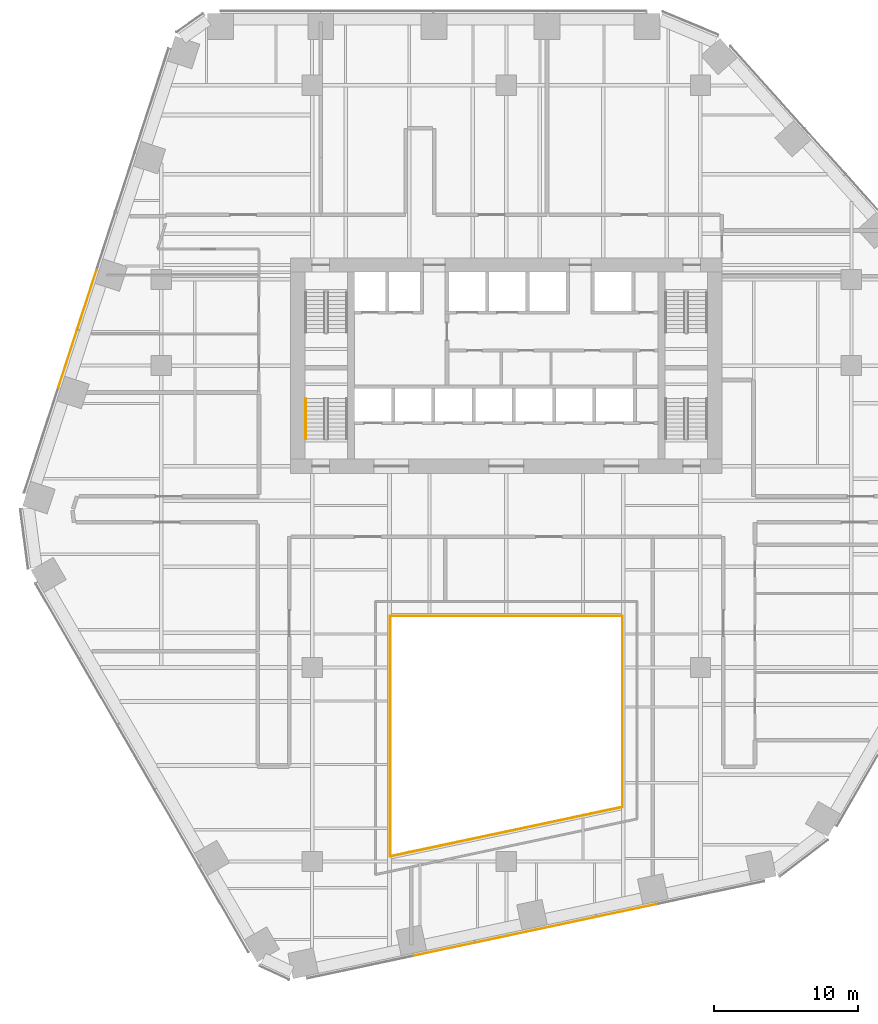
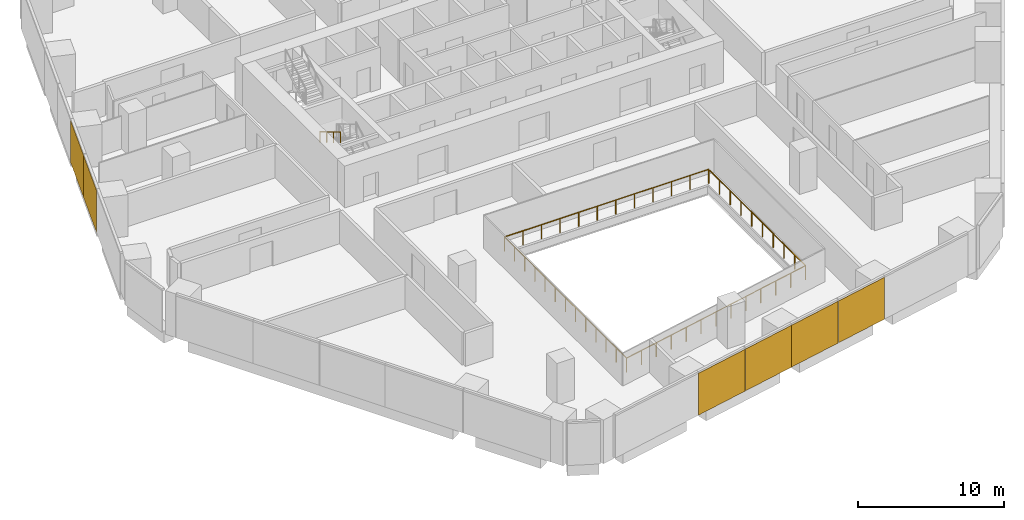
# One storey, part 18 of 20: 6 coverings, 5 railings, 2 elements without a shape of their own.
"""IFC4 building model written with IfcOpenShell, lengths in metres."""

from ifc_helpers import new_model, si_unit, direction, frame, origin, origin_2d, place, context, subcontext, project, spatial, rectangle, circle, extrude, material, layer, layer_set, type_object, element, aggregate, save


model = new_model("IFC4")

# Units and contexts
model_context = context("Model", 3, precision=1e-05, world=origin(), true_north=direction((0.0, 1.0)))
body_context = subcontext(model_context, "Body", "Model", "MODEL_VIEW")
ifc_project = project(units=[si_unit("LENGTHUNIT", "METRE"), si_unit("AREAUNIT", "SQUARE_METRE"), si_unit("VOLUMEUNIT", "CUBIC_METRE"), si_unit("PLANEANGLEUNIT", "RADIAN"), si_unit("MASSUNIT", "GRAM", prefix="KILO")], contexts=[model_context])

# Site, building, storey
site_placement = place(None, origin())
site = spatial("IfcSite", under=ifc_project, at=site_placement, CompositionType="ELEMENT")
building_placement = place(site_placement, origin())
building = spatial("IfcBuilding", under=site, at=building_placement, Name="Isthmus Gate Tower", CompositionType="ELEMENT")
storey_placement = place(building_placement, frame((0.0, 0.0, 57.89990234375)))
storey = spatial("IfcBuildingStorey", under=building, at=storey_placement, Name="L12", CompositionType="ELEMENT", Elevation=57.89990234375)

# Railings
ifc_material_1 = material(Name="Laminated toughened glass balustrade with steel rail", Category="steel")
railing_type_1 = type_object("IfcRailingType", Name="ATRIUM GUARD GLASS BALUSTRADE 1200", PredefinedType="GUARDRAIL", material=ifc_material_1)
railing_1_placement = place(storey_placement, frame((-8.080078125, -26.642822265625, 0.0)))
element("IfcRailing", 1, at=railing_1_placement, inside=storey, type_object=railing_type_1, Name="L12 atrium guard", PredefinedType="GUARDRAIL", context=body_context, shape_type="SweptSolid", body=[
    extrude(circle(Radius=0.02490234375, at=origin_2d()), frame((0.0, 0.0, 1.1748046875), z_axis=(0.0, 1.0, 0.0), x_axis=(-1.0, 0.0, 0.0)), (0.0, 0.0, 1.0), 16.722900390625),
    extrude(circle(Radius=0.02490234375, at=origin_2d()), origin(), (0.0, 0.0, 1.0), 1.14990234375),
    extrude(circle(Radius=0.02490234375, at=origin_2d()), frame((0.0, 1.3935546875, 0.0)), (0.0, 0.0, 1.0), 1.14990234375),
    extrude(circle(Radius=0.02490234375, at=origin_2d()), frame((0.0, 2.787109375, 0.0)), (0.0, 0.0, 1.0), 1.14990234375),
    extrude(circle(Radius=0.02490234375, at=origin_2d()), frame((0.0, 4.1806640625, 0.0)), (0.0, 0.0, 1.0), 1.14990234375),
    extrude(circle(Radius=0.02490234375, at=origin_2d()), frame((0.0, 5.57421875, 0.0)), (0.0, 0.0, 1.0), 1.14990234375),
    extrude(circle(Radius=0.02490234375, at=origin_2d()), frame((0.0, 6.9677734375, 0.0)), (0.0, 0.0, 1.0), 1.14990234375),
    extrude(circle(Radius=0.02490234375, at=origin_2d()), frame((0.0, 8.361328125, 0.0)), (0.0, 0.0, 1.0), 1.14990234375),
    extrude(circle(Radius=0.02490234375, at=origin_2d()), frame((0.0, 9.755126953125, 0.0)), (0.0, 0.0, 1.0), 1.14990234375),
    extrude(circle(Radius=0.02490234375, at=origin_2d()), frame((0.0, 11.148681640625, 0.0)), (0.0, 0.0, 1.0), 1.14990234375),
    extrude(circle(Radius=0.02490234375, at=origin_2d()), frame((0.0, 12.542236328125, 0.0)), (0.0, 0.0, 1.0), 1.14990234375),
    extrude(circle(Radius=0.02490234375, at=origin_2d()), frame((0.0, 13.935791015625, 0.0)), (0.0, 0.0, 1.0), 1.14990234375),
    extrude(circle(Radius=0.02490234375, at=origin_2d()), frame((0.0, 15.329345703125, 0.0)), (0.0, 0.0, 1.0), 1.14990234375),
    extrude(circle(Radius=0.02490234375, at=origin_2d()), frame((0.0, 16.722900390625, 0.0)), (0.0, 0.0, 1.0), 1.14990234375),
])
railing_2_placement = place(storey_placement, frame((-8.080078125, -9.919921875, 0.0)))
element("IfcRailing", 2, at=railing_2_placement, inside=storey, type_object=railing_type_1, Name="L12 atrium guard", PredefinedType="GUARDRAIL", context=body_context, shape_type="SweptSolid", body=[
    extrude(circle(Radius=0.02490234375, at=origin_2d()), frame((0.0, 0.0, 1.1748046875), z_axis=(1.0, 0.0, 0.0), x_axis=(0.0, 1.0, 0.0)), (0.0, 0.0, 1.0), 16.16015625),
    extrude(circle(Radius=0.02490234375, at=origin_2d()), origin(), (0.0, 0.0, 1.0), 1.14990234375),
    extrude(circle(Radius=0.02490234375, at=origin_2d()), frame((1.468994140625, 0.0, 0.0)), (0.0, 0.0, 1.0), 1.14990234375),
    extrude(circle(Radius=0.02490234375, at=origin_2d()), frame((2.938232421875, 0.0, 0.0)), (0.0, 0.0, 1.0), 1.14990234375),
    extrude(circle(Radius=0.02490234375, at=origin_2d()), frame((4.4072265625, 0.0, 0.0)), (0.0, 0.0, 1.0), 1.14990234375),
    extrude(circle(Radius=0.02490234375, at=origin_2d()), frame((5.87646484375, 0.0, 0.0)), (0.0, 0.0, 1.0), 1.14990234375),
    extrude(circle(Radius=0.02490234375, at=origin_2d()), frame((7.345458984375, 0.0, 0.0)), (0.0, 0.0, 1.0), 1.14990234375),
    extrude(circle(Radius=0.02490234375, at=origin_2d()), frame((8.814697265625, 0.0, 0.0)), (0.0, 0.0, 1.0), 1.14990234375),
    extrude(circle(Radius=0.02490234375, at=origin_2d()), frame((10.28369140625, 0.0, 0.0)), (0.0, 0.0, 1.0), 1.14990234375),
    extrude(circle(Radius=0.02490234375, at=origin_2d()), frame((11.7529296875, 0.0, 0.0)), (0.0, 0.0, 1.0), 1.14990234375),
    extrude(circle(Radius=0.02490234375, at=origin_2d()), frame((13.221923828125, 0.0, 0.0)), (0.0, 0.0, 1.0), 1.14990234375),
    extrude(circle(Radius=0.02490234375, at=origin_2d()), frame((14.691162109375, 0.0, 0.0)), (0.0, 0.0, 1.0), 1.14990234375),
    extrude(circle(Radius=0.02490234375, at=origin_2d()), frame((16.16015625, 0.0, 0.0)), (0.0, 0.0, 1.0), 1.14990234375),
])
railing_3_placement = place(storey_placement, frame((8.080078125, -9.919921875, 0.0)))
element("IfcRailing", 3, at=railing_3_placement, inside=storey, type_object=railing_type_1, Name="L12 atrium guard", PredefinedType="GUARDRAIL", context=body_context, shape_type="SweptSolid", body=[
    extrude(circle(Radius=0.02490234375, at=origin_2d()), frame((0.0, 0.0, 1.1748046875), z_axis=(0.0, -1.0, 0.0), x_axis=(1.0, 0.0, 0.0)), (0.0, 0.0, 1.0), 13.2880859375),
    extrude(circle(Radius=0.02490234375, at=origin_2d()), origin(), (0.0, 0.0, 1.0), 1.14990234375),
    extrude(circle(Radius=0.02490234375, at=origin_2d()), frame((0.0, -1.4765625, 0.0)), (0.0, 0.0, 1.0), 1.14990234375),
    extrude(circle(Radius=0.02490234375, at=origin_2d()), frame((0.0, -2.952880859375, 0.0)), (0.0, 0.0, 1.0), 1.14990234375),
    extrude(circle(Radius=0.02490234375, at=origin_2d()), frame((0.0, -4.429443359375, 0.0)), (0.0, 0.0, 1.0), 1.14990234375),
    extrude(circle(Radius=0.02490234375, at=origin_2d()), frame((0.0, -5.90576171875, 0.0)), (0.0, 0.0, 1.0), 1.14990234375),
    extrude(circle(Radius=0.02490234375, at=origin_2d()), frame((0.0, -7.38232421875, 0.0)), (0.0, 0.0, 1.0), 1.14990234375),
    extrude(circle(Radius=0.02490234375, at=origin_2d()), frame((0.0, -8.858642578125, 0.0)), (0.0, 0.0, 1.0), 1.14990234375),
    extrude(circle(Radius=0.02490234375, at=origin_2d()), frame((0.0, -10.335205078125, 0.0)), (0.0, 0.0, 1.0), 1.14990234375),
    extrude(circle(Radius=0.02490234375, at=origin_2d()), frame((0.0, -11.8115234375, 0.0)), (0.0, 0.0, 1.0), 1.14990234375),
    extrude(circle(Radius=0.02490234375, at=origin_2d()), frame((0.0, -13.2880859375, 0.0)), (0.0, 0.0, 1.0), 1.14990234375),
])
railing_4_placement = place(storey_placement, frame((8.080078125, -23.2080078125, 0.0)))
element("IfcRailing", 4, at=railing_4_placement, inside=storey, type_object=railing_type_1, Name="L12 atrium guard", PredefinedType="GUARDRAIL", context=body_context, shape_type="SweptSolid", body=[
    extrude(circle(Radius=0.02490234375, at=origin_2d()), frame((0.0, 0.0, 1.1748046875), z_axis=(-0.978149235358, -0.207904000366, 0.0), x_axis=(0.207904000366, -0.978149235358, 0.0)), (0.0, 0.0, 1.0), 16.521240234375),
    extrude(circle(Radius=0.02490234375, at=origin_2d()), origin(), (0.0, 0.0, 1.0), 1.14990234375),
    extrude(circle(Radius=0.02490234375, at=origin_2d()), frame((-1.3466796875, -0.2861328125, 0.0)), (0.0, 0.0, 1.0), 1.14990234375),
    extrude(circle(Radius=0.02490234375, at=origin_2d()), frame((-2.693359375, -0.572509765625, 0.0)), (0.0, 0.0, 1.0), 1.14990234375),
    extrude(circle(Radius=0.02490234375, at=origin_2d()), frame((-4.0400390625, -0.858642578125, 0.0)), (0.0, 0.0, 1.0), 1.14990234375),
    extrude(circle(Radius=0.02490234375, at=origin_2d()), frame((-5.38671875, -1.14501953125, 0.0)), (0.0, 0.0, 1.0), 1.14990234375),
    extrude(circle(Radius=0.02490234375, at=origin_2d()), frame((-6.7333984375, -1.43115234375, 0.0)), (0.0, 0.0, 1.0), 1.14990234375),
    extrude(circle(Radius=0.02490234375, at=origin_2d()), frame((-8.080078125, -1.71728515625, 0.0)), (0.0, 0.0, 1.0), 1.14990234375),
    extrude(circle(Radius=0.02490234375, at=origin_2d()), frame((-9.4267578125, -2.003662109375, 0.0)), (0.0, 0.0, 1.0), 1.14990234375),
    extrude(circle(Radius=0.02490234375, at=origin_2d()), frame((-10.7734375, -2.289794921875, 0.0)), (0.0, 0.0, 1.0), 1.14990234375),
    extrude(circle(Radius=0.02490234375, at=origin_2d()), frame((-12.1201171875, -2.576171875, 0.0)), (0.0, 0.0, 1.0), 1.14990234375),
    extrude(circle(Radius=0.02490234375, at=origin_2d()), frame((-13.466796875, -2.8623046875, 0.0)), (0.0, 0.0, 1.0), 1.14990234375),
    extrude(circle(Radius=0.02490234375, at=origin_2d()), frame((-14.8134765625, -3.148681640625, 0.0)), (0.0, 0.0, 1.0), 1.14990234375),
    extrude(circle(Radius=0.02490234375, at=origin_2d()), frame((-16.16015625, -3.434814453125, 0.0)), (0.0, 0.0, 1.0), 1.14990234375),
])

# Curtain wall, coverings
ifc_material_2 = material(Name="Aluminium, pale champagne anodised", Category="aluminium")
ifc_layer_1 = layer(ifc_material_2, 0.199951171875)
ifc_layer_set_1 = layer_set([ifc_layer_1], Name="CW-1 UNITISED CURTAIN WALL 200 DEEP")
curtain_wall_type = type_object("IfcCurtainWallType", Name="CW-1 UNITISED CURTAIN WALL 200 DEEP", PredefinedType="NOTDEFINED", material=ifc_layer_set_1)
curtain_wall_1_placement = place(storey_placement, origin())
curtain_wall_1 = element("IfcCurtainWall", 5, at=curtain_wall_1_placement, inside=storey, type_object=curtain_wall_type, Name="CW-1 NW L12", PredefinedType="NOTDEFINED")
ifc_material_3 = material(Name="Aluminium composite panel, pale champagne anodised", Category="aluminium")
ifc_layer_2 = layer(ifc_material_3, 0.0400390625)
ifc_layer_set_2 = layer_set([ifc_layer_2], Name="CW-1 PALE METAL PANEL 40")
covering_type = type_object("IfcCoveringType", Name="CW-1 PALE METAL PANEL 40", PredefinedType="CLADDING", material=ifc_layer_set_2)
covering_1_placement = place(storey_placement, frame((-29.17236328125, 12.09033203125, 0.0), z_axis=(0.0, 0.0, 1.0), x_axis=(-0.309016994375, -0.951056516295, 0.0)))
covering_1 = element("IfcCovering", 6, at=covering_1_placement, type_object=covering_type, Name="CW-1 pale metal panel", PredefinedType="CLADDING", context=body_context, shape_type="SweptSolid", body=[
    extrude(rectangle(XDim=4.294677734375, YDim=0.0400390625, at=origin_2d()), origin(), (0.0, 0.0, 1.0), 3.5),
])
covering_2_placement = place(storey_placement, frame((-30.5087890625, 7.9775390625, 0.0), z_axis=(0.0, 0.0, 1.0), x_axis=(-0.309016994375, -0.951056516295, 0.0)))
covering_2 = element("IfcCovering", 7, at=covering_2_placement, type_object=covering_type, Name="CW-1 pale metal panel", PredefinedType="CLADDING", context=body_context, shape_type="SweptSolid", body=[
    extrude(rectangle(XDim=4.234619140625, YDim=0.0400390625, at=origin_2d()), origin(), (0.0, 0.0, 1.0), 3.5),
])
aggregate(curtain_wall_1, [covering_1, covering_2])

curtain_wall_2_placement = place(storey_placement, origin())
curtain_wall_2 = element("IfcCurtainWall", 8, at=curtain_wall_2_placement, inside=storey, type_object=curtain_wall_type, Name="CW-1 S L12", PredefinedType="NOTDEFINED")
covering_3_placement = place(storey_placement, frame((-4.2861328125, -33.094970703125, 0.0), z_axis=(0.0, 0.0, 1.0), x_axis=(0.978147600734, 0.207911690818, 0.0)))
covering_3 = element("IfcCovering", 9, at=covering_3_placement, type_object=covering_type, Name="CW-1 pale metal panel", PredefinedType="CLADDING", context=body_context, shape_type="SweptSolid", body=[
    extrude(rectangle(XDim=4.294677734375, YDim=0.0400390625, at=origin_2d()), origin(), (0.0, 0.0, 1.0), 3.5),
])
covering_4_placement = place(storey_placement, frame((-0.055908203125, -32.19580078125, 0.0), z_axis=(0.0, 0.0, 1.0), x_axis=(0.978147600734, 0.207911690818, 0.0)))
covering_4 = element("IfcCovering", 10, at=covering_4_placement, type_object=covering_type, Name="CW-1 pale metal panel", PredefinedType="CLADDING", context=body_context, shape_type="SweptSolid", body=[
    extrude(rectangle(XDim=4.234619140625, YDim=0.0400390625, at=origin_2d()), origin(), (0.0, 0.0, 1.0), 3.5),
])
covering_5_placement = place(storey_placement, frame((4.115478515625, -31.309326171875, 0.0), z_axis=(0.0, 0.0, 1.0), x_axis=(0.978147600734, 0.207911690818, 0.0)))
covering_5 = element("IfcCovering", 11, at=covering_5_placement, type_object=covering_type, Name="CW-1 pale metal panel", PredefinedType="CLADDING", context=body_context, shape_type="SweptSolid", body=[
    extrude(rectangle(XDim=4.294677734375, YDim=0.0400390625, at=origin_2d()), origin(), (0.0, 0.0, 1.0), 3.5),
])
covering_6_placement = place(storey_placement, frame((8.345703125, -30.41015625, 0.0), z_axis=(0.0, 0.0, 1.0), x_axis=(0.978147600734, 0.207911690818, 0.0)))
covering_6 = element("IfcCovering", 12, at=covering_6_placement, type_object=covering_type, Name="CW-1 pale metal panel", PredefinedType="CLADDING", context=body_context, shape_type="SweptSolid", body=[
    extrude(rectangle(XDim=4.234619140625, YDim=0.0400390625, at=origin_2d()), origin(), (0.0, 0.0, 1.0), 3.5),
])
aggregate(curtain_wall_2, [covering_3, covering_4, covering_5, covering_6])

# Railing
ifc_material_4 = material(Name="Stainless steel handrail", Category="steel")
railing_type_2 = type_object("IfcRailingType", Name="STAIR HANDRAIL 900", PredefinedType="HANDRAIL", material=ifc_material_4)
railing_5_placement = place(storey_placement, frame((-13.949951171875, 5.199951171875, 1.990966796875)))
element("IfcRailing", 13, at=railing_5_placement, inside=storey, type_object=railing_type_2, Name="L12 ST7 stair handrail 2", PredefinedType="HANDRAIL", context=body_context, shape_type="SweptSolid", body=[
    extrude(circle(Radius=0.02392578125, at=origin_2d()), frame((0.0, 0.0, 0.8759765625), z_axis=(0.0, -0.860306154799, 0.50977771628), x_axis=(1.0, 0.0, 0.0)), (0.0, 0.0, 1.0), 3.254638671875),
    extrude(circle(Radius=0.02099609375, at=origin_2d()), origin(), (0.0, 0.0, 1.0), 0.851806640625),
    extrude(circle(Radius=0.02099609375, at=origin_2d()), frame((0.0, -0.933349609375, 0.552978515625)), (0.0, 0.0, 1.0), 0.851806640625),
    extrude(circle(Radius=0.02099609375, at=origin_2d()), frame((0.0, -1.86669921875, 1.106201171875)), (0.0, 0.0, 1.0), 0.851806640625),
    extrude(circle(Radius=0.02099609375, at=origin_2d()), frame((0.0, -2.800048828125, 1.6591796875)), (0.0, 0.0, 1.0), 0.851806640625),
])

save(model, "model.ifc")
